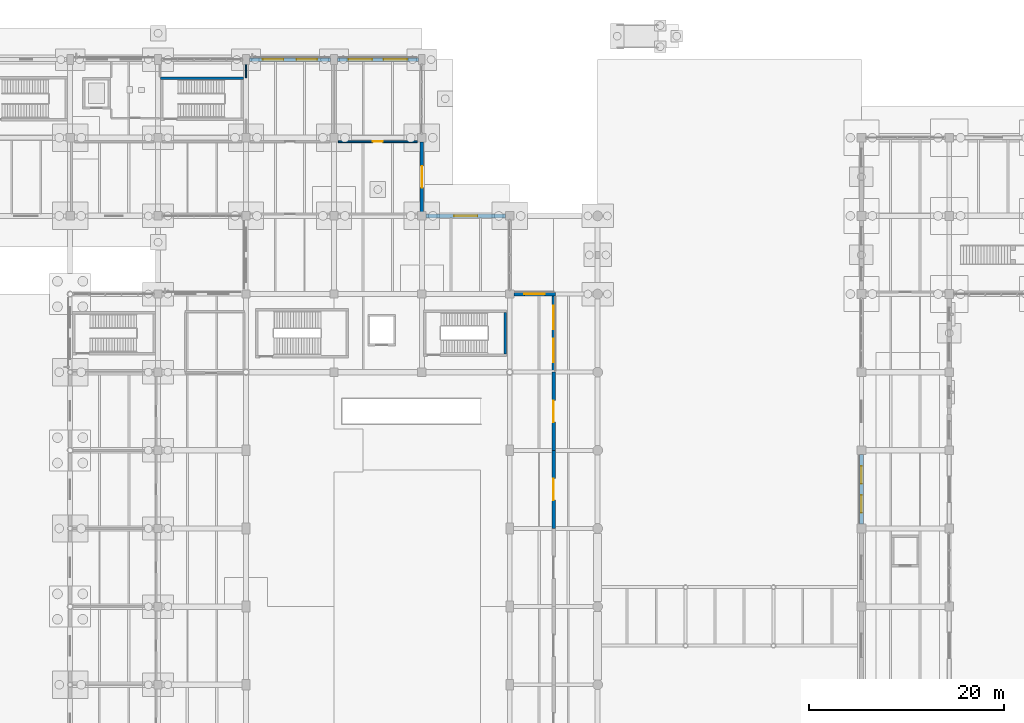
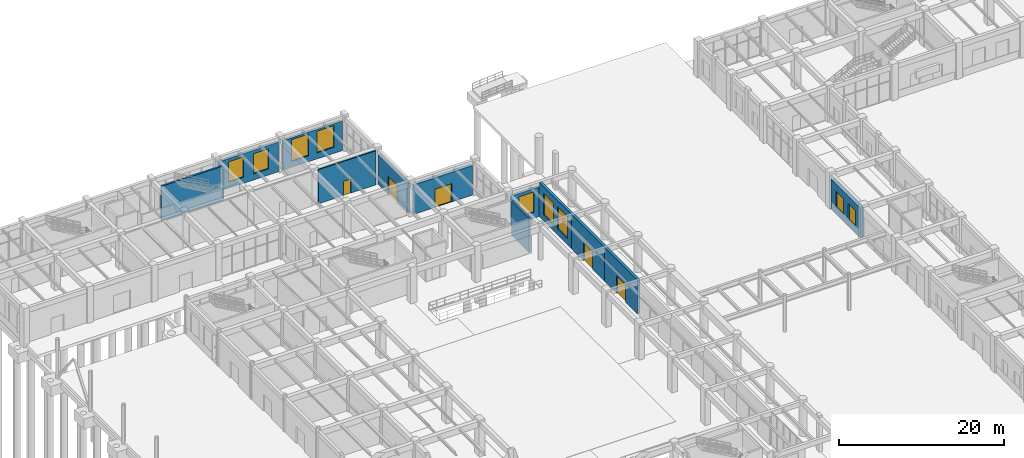
# One storey, part 95 of 121: 13 walls, 9 windows, 5 doors, 14 openings.
"""IFC4 building model written with IfcOpenShell, lengths in metres."""

from ifc_helpers import new_model, si_unit, derived_unit, direction, frame, frame_2d, origin, place, context, subcontext, project, spatial, rectangle, extrude, material, layer, layer_set, type_object, element, fill, save


model = new_model("IFC4")

# Units and contexts
model_context = context("Model", 3, precision=1e-05, world=origin(), true_north=direction((0.0, 1.0)))
body_context = subcontext(model_context, "Body", "Model", "MODEL_VIEW")
ifc_project = project(units=[si_unit("LENGTHUNIT", "METRE"), si_unit("AREAUNIT", "SQUARE_METRE"), si_unit("VOLUMEUNIT", "CUBIC_METRE"), si_unit("PLANEANGLEUNIT", "RADIAN"), si_unit("MASSUNIT", "GRAM", prefix="KILO"), derived_unit("THERMALTRANSMITTANCEUNIT", [(si_unit("MASSUNIT", "GRAM", prefix="KILO"), 1), (si_unit("TIMEUNIT", "SECOND"), -3), (si_unit("THERMODYNAMICTEMPERATUREUNIT", "KELVIN"), -1)])], contexts=[model_context])

# Site, building, storey
site_placement = place(None, origin())
site = spatial("IfcSite", under=ifc_project, at=site_placement, CompositionType="ELEMENT")
building_placement = place(site_placement, origin())
building = spatial("IfcBuilding", under=site, at=building_placement, Name="Zhenchuan Archway Interchange", CompositionType="ELEMENT")
storey_placement = place(building_placement, origin())
storey = spatial("IfcBuildingStorey", under=building, at=storey_placement, Name="L00", CompositionType="ELEMENT", Elevation=0.0)

# Wall, opening, door
ifc_material_1 = material(Name="Granite Stone Cladding", Category="masonry")
ifc_layer_1 = layer(ifc_material_1, 0.419921875)
ifc_layer_set_1 = layer_set([ifc_layer_1], Name="Granite Stone Cladding")
wall_type_1 = type_object("IfcWallType", Name="EW_GRANITE_420", PredefinedType="STANDARD", material=ifc_layer_set_1)
wall_1_placement = place(storey_placement, frame((54.423095703125, 96.0, 0.0), z_axis=(0.0, 0.0, 1.0), x_axis=(1.0, 0.0, 0.0)))
wall_1 = element("IfcWall", 1, at=wall_1_placement, inside=storey, type_object=wall_type_1, Name="Exterior wall L00-029", PredefinedType="STANDARD", context=body_context, shape_type="SweptSolid", body=[
    extrude(rectangle(XDim=8.15380859375, YDim=0.419921875, at=frame_2d((4.076904296875, 0.0))), origin(), (0.0, 0.0, 1.0), 4.3798828125),
])
opening_1_placement = place(wall_1_placement, frame((2.876953125, 0.0, 0.0)))
opening_1 = element("IfcOpeningElement", 2, at=opening_1_placement, cuts=wall_1, Name="Opening ED-01", PredefinedType="OPENING", context=body_context, shape_type="SweptSolid", body=[
    extrude(rectangle(XDim=2.39990234375, YDim=2.699951171875, at=frame_2d((1.199951171875, 1.35009765625))), frame((0.0, 0.221923828125, 0.0), z_axis=(0.0, -1.0, 0.0), x_axis=(1.0, 0.0, 0.0)), (0.0, 0.0, 1.0), 0.44384765625),
])
ifc_material_2 = material(Name="Anodised Aluminium", Category="aluminium")
door_type_1 = type_object("IfcDoorType", Name="ED_MAIN_2400x2700", OperationType="DOUBLE_DOOR_SINGLE_SWING", PredefinedType="DOOR", material=ifc_material_2)
door_1_placement = place(opening_1_placement, origin())
door_1 = element("IfcDoor", 3, at=door_1_placement, inside=storey, type_object=door_type_1, Name="Exterior entrance door L00-012", OperationType="SINGLE_SWING_LEFT", OverallHeight=2.699951171875, OverallWidth=2.39990234375, PredefinedType="DOOR", context=body_context, shape_type="SweptSolid", body=[
    extrude(rectangle(XDim=2.39990234375, YDim=2.699951171875, at=frame_2d((1.199951171875, 1.35009765625))), frame((0.0, 0.02490234375, 0.0), z_axis=(0.0, -1.0, 0.0), x_axis=(1.0, 0.0, 0.0)), (0.0, 0.0, 1.0), 0.050048828125),
])
fill(opening_1, door_1)

# Wall, openings, windows
wall_2_placement = place(storey_placement, frame((99.0, 64.447998046875, 0.0), z_axis=(0.0, 0.0, 1.0), x_axis=(0.0, 1.0, 0.0)))
wall_2 = element("IfcWall", 4, at=wall_2_placement, inside=storey, type_object=wall_type_1, Name="Exterior wall L00-094", PredefinedType="STANDARD", context=body_context, shape_type="SweptSolid", body=[
    extrude(rectangle(XDim=7.10400390625, YDim=0.419921875, at=frame_2d((3.552001953125, 0.0))), origin(), (0.0, 0.0, 1.0), 4.3798828125),
])
opening_2_placement = place(wall_2_placement, frame((1.16796875, 0.0, 0.89990234375)))
opening_2 = element("IfcOpeningElement", 5, at=opening_2_placement, cuts=wall_2, Name="Opening W-03", PredefinedType="OPENING", context=body_context, shape_type="SweptSolid", body=[
    extrude(rectangle(XDim=1.800048828125, YDim=2.39990234375, at=frame_2d((0.89990234375, 1.199951171875))), frame((0.0, 0.221923828125, 0.0), z_axis=(0.0, -1.0, 0.0), x_axis=(1.0, 0.0, 0.0)), (0.0, 0.0, 1.0), 0.44384765625),
])
opening_3_placement = place(wall_2_placement, frame((4.135986328125, 0.0, 0.89990234375)))
opening_3 = element("IfcOpeningElement", 6, at=opening_3_placement, cuts=wall_2, Name="Opening W-03", PredefinedType="OPENING", context=body_context, shape_type="SweptSolid", body=[
    extrude(rectangle(XDim=1.800048828125, YDim=2.39990234375, at=frame_2d((0.89990234375, 1.199951171875))), frame((0.0, 0.221923828125, 0.0), z_axis=(0.0, -1.0, 0.0), x_axis=(1.0, 0.0, 0.0)), (0.0, 0.0, 1.0), 0.44384765625),
])
ifc_material_3 = material(Name="Double Low-E Insulated Glazing", Category="glass")
window_type_1 = type_object("IfcWindowType", Name="WN_PUNCH_1800x2400", PartitioningType="SINGLE_PANEL", PredefinedType="WINDOW", material=ifc_material_3)
window_1_placement = place(opening_2_placement, origin())
window_1 = element("IfcWindow", 7, at=window_1_placement, inside=storey, type_object=window_type_1, Name="Window L00-0073", OverallHeight=2.39990234375, OverallWidth=1.800048828125, PartitioningType="SINGLE_PANEL", PredefinedType="WINDOW", context=body_context, shape_type="SweptSolid", body=[
    extrude(rectangle(XDim=1.800048828125, YDim=2.39990234375, at=frame_2d((0.89990234375, 1.199951171875))), frame((0.0, 0.030029296875, 0.0), z_axis=(0.0, -1.0, 0.0), x_axis=(1.0, 0.0, 0.0)), (0.0, 0.0, 1.0), 0.06005859375),
])
fill(opening_2, window_1)
window_2_placement = place(opening_3_placement, origin())
window_2 = element("IfcWindow", 8, at=window_2_placement, inside=storey, type_object=window_type_1, Name="Window L00-0074", OverallHeight=2.39990234375, OverallWidth=1.800048828125, PartitioningType="SINGLE_PANEL", PredefinedType="WINDOW", context=body_context, shape_type="SweptSolid", body=[
    extrude(rectangle(XDim=1.800048828125, YDim=2.39990234375, at=frame_2d((0.89990234375, 1.199951171875))), frame((0.0, 0.030029296875, 0.0), z_axis=(0.0, -1.0, 0.0), x_axis=(1.0, 0.0, 0.0)), (0.0, 0.0, 1.0), 0.06005859375),
])
fill(opening_3, window_2)

ifc_material_4 = material(Name="Terracotta Masonry", Category="masonry")
ifc_layer_2 = layer(ifc_material_4, 0.360107421875)
ifc_layer_set_2 = layer_set([ifc_layer_2], Name="Terracotta Masonry")
wall_type_2 = type_object("IfcWallType", Name="EW_TERRA_360", PredefinedType="STANDARD", material=ifc_layer_set_2)
wall_3_placement = place(storey_placement, frame((36.347900390625, 112.0, 0.0), z_axis=(0.0, 0.0, 1.0), x_axis=(1.0, 0.0, 0.0)))
wall_3 = element("IfcWall", 9, at=wall_3_placement, inside=storey, type_object=wall_type_2, Name="Exterior wall L00-025", PredefinedType="STANDARD", context=body_context, shape_type="SweptSolid", body=[
    extrude(rectangle(XDim=8.30419921875, YDim=0.360107421875, at=frame_2d((4.152099609375, 0.0))), origin(), (0.0, 0.0, 1.0), 4.3798828125),
])
opening_4_placement = place(wall_3_placement, frame((1.367919921875, 0.0, 0.89990234375)))
opening_4 = element("IfcOpeningElement", 10, at=opening_4_placement, cuts=wall_3, Name="Opening W-02", PredefinedType="OPENING", context=body_context, shape_type="SweptSolid", body=[
    extrude(rectangle(XDim=2.10009765625, YDim=3.0, at=frame_2d((1.050048828125, 1.5))), frame((0.0, 0.19189453125, 0.0), z_axis=(0.0, -1.0, 0.0), x_axis=(1.0, 0.0, 0.0)), (0.0, 0.0, 1.0), 0.384033203125),
])
opening_5_placement = place(wall_3_placement, frame((4.8359375, 0.0, 0.89990234375)))
opening_5 = element("IfcOpeningElement", 11, at=opening_5_placement, cuts=wall_3, Name="Opening W-02", PredefinedType="OPENING", context=body_context, shape_type="SweptSolid", body=[
    extrude(rectangle(XDim=2.10009765625, YDim=3.0, at=frame_2d((1.050048828125, 1.5))), frame((0.0, 0.19189453125, 0.0), z_axis=(0.0, -1.0, 0.0), x_axis=(1.0, 0.0, 0.0)), (0.0, 0.0, 1.0), 0.384033203125),
])
window_type_2 = type_object("IfcWindowType", Name="WN_ARCH_2100x3000", PartitioningType="SINGLE_PANEL", PredefinedType="WINDOW", material=ifc_material_3)
window_3_placement = place(opening_4_placement, origin())
window_3 = element("IfcWindow", 12, at=window_3_placement, inside=storey, type_object=window_type_2, Name="Window L00-0017", OverallHeight=3.0, OverallWidth=2.10009765625, PartitioningType="SINGLE_PANEL", PredefinedType="WINDOW", context=body_context, shape_type="SweptSolid", body=[
    extrude(rectangle(XDim=2.10009765625, YDim=3.0, at=frame_2d((1.050048828125, 1.5))), frame((0.0, 0.030029296875, 0.0), z_axis=(0.0, -1.0, 0.0), x_axis=(1.0, 0.0, 0.0)), (0.0, 0.0, 1.0), 0.06005859375),
])
fill(opening_4, window_3)
window_4_placement = place(opening_5_placement, origin())
window_4 = element("IfcWindow", 13, at=window_4_placement, inside=storey, type_object=window_type_2, Name="Window L00-0018", OverallHeight=3.0, OverallWidth=2.10009765625, PartitioningType="SINGLE_PANEL", PredefinedType="WINDOW", context=body_context, shape_type="SweptSolid", body=[
    extrude(rectangle(XDim=2.10009765625, YDim=3.0, at=frame_2d((1.050048828125, 1.5))), frame((0.0, 0.030029296875, 0.0), z_axis=(0.0, -1.0, 0.0), x_axis=(1.0, 0.0, 0.0)), (0.0, 0.0, 1.0), 0.06005859375),
])
fill(opening_5, window_4)

wall_4_placement = place(storey_placement, frame((45.347900390625, 112.0, 0.0), z_axis=(0.0, 0.0, 1.0), x_axis=(1.0, 0.0, 0.0)))
wall_4 = element("IfcWall", 14, at=wall_4_placement, inside=storey, type_object=wall_type_2, Name="Exterior wall L00-026", PredefinedType="STANDARD", context=body_context, shape_type="SweptSolid", body=[
    extrude(rectangle(XDim=8.30419921875, YDim=0.360107421875, at=frame_2d((4.152099609375, 0.0))), origin(), (0.0, 0.0, 1.0), 4.3798828125),
])
opening_6_placement = place(wall_4_placement, frame((1.16796875, 0.0, 0.89990234375)))
opening_6 = element("IfcOpeningElement", 15, at=opening_6_placement, cuts=wall_4, Name="Opening W-01", PredefinedType="OPENING", context=body_context, shape_type="SweptSolid", body=[
    extrude(rectangle(XDim=2.39990234375, YDim=3.199951171875, at=frame_2d((1.199951171875, 1.60009765625))), frame((0.0, 0.19189453125, 0.0), z_axis=(0.0, -1.0, 0.0), x_axis=(1.0, 0.0, 0.0)), (0.0, 0.0, 1.0), 0.384033203125),
])
opening_7_placement = place(wall_4_placement, frame((4.736083984375, 0.0, 0.89990234375)))
opening_7 = element("IfcOpeningElement", 16, at=opening_7_placement, cuts=wall_4, Name="Opening W-01", PredefinedType="OPENING", context=body_context, shape_type="SweptSolid", body=[
    extrude(rectangle(XDim=2.39990234375, YDim=3.199951171875, at=frame_2d((1.199951171875, 1.60009765625))), frame((0.0, 0.19189453125, 0.0), z_axis=(0.0, -1.0, 0.0), x_axis=(1.0, 0.0, 0.0)), (0.0, 0.0, 1.0), 0.384033203125),
])
window_type_3 = type_object("IfcWindowType", Name="WN_ARCH_2400x3200", PartitioningType="SINGLE_PANEL", PredefinedType="WINDOW", material=ifc_material_3)
window_5_placement = place(opening_6_placement, origin())
window_5 = element("IfcWindow", 17, at=window_5_placement, inside=storey, type_object=window_type_3, Name="Window L00-0019", OverallHeight=3.199951171875, OverallWidth=2.39990234375, PartitioningType="SINGLE_PANEL", PredefinedType="WINDOW", context=body_context, shape_type="SweptSolid", body=[
    extrude(rectangle(XDim=2.39990234375, YDim=3.199951171875, at=frame_2d((1.199951171875, 1.60009765625))), frame((0.0, 0.030029296875, 0.0), z_axis=(0.0, -1.0, 0.0), x_axis=(1.0, 0.0, 0.0)), (0.0, 0.0, 1.0), 0.06005859375),
])
fill(opening_6, window_5)
window_6_placement = place(opening_7_placement, origin())
window_6 = element("IfcWindow", 18, at=window_6_placement, inside=storey, type_object=window_type_3, Name="Window L00-0020", OverallHeight=3.199951171875, OverallWidth=2.39990234375, PartitioningType="SINGLE_PANEL", PredefinedType="WINDOW", context=body_context, shape_type="SweptSolid", body=[
    extrude(rectangle(XDim=2.39990234375, YDim=3.199951171875, at=frame_2d((1.199951171875, 1.60009765625))), frame((0.0, 0.030029296875, 0.0), z_axis=(0.0, -1.0, 0.0), x_axis=(1.0, 0.0, 0.0)), (0.0, 0.0, 1.0), 0.06005859375),
])
fill(opening_7, window_6)

# Wall, opening, door
wall_5_placement = place(storey_placement, frame((54.0, 103.576904296875, 0.0), z_axis=(0.0, 0.0, 1.0), x_axis=(0.0, -1.0, 0.0)))
wall_5 = element("IfcWall", 19, at=wall_5_placement, inside=storey, type_object=wall_type_2, Name="Exterior wall L00-028", PredefinedType="STANDARD", context=body_context, shape_type="SweptSolid", body=[
    extrude(rectangle(XDim=7.15380859375, YDim=0.360107421875, at=frame_2d((3.576904296875, 0.0))), origin(), (0.0, 0.0, 1.0), 4.3798828125),
])
opening_8_placement = place(wall_5_placement, frame((2.47705078125, 0.0, 0.0)))
opening_8 = element("IfcOpeningElement", 20, at=opening_8_placement, cuts=wall_5, Name="Opening ED-02", PredefinedType="OPENING", context=body_context, shape_type="SweptSolid", body=[
    extrude(rectangle(XDim=2.199951171875, YDim=2.60009765625, at=frame_2d((1.10009765625, 1.300048828125))), frame((0.0, 0.19189453125, 0.0), z_axis=(0.0, -1.0, 0.0), x_axis=(1.0, 0.0, 0.0)), (0.0, 0.0, 1.0), 0.384033203125),
])
door_type_2 = type_object("IfcDoorType", Name="ED_CONC_2200x2600", OperationType="DOUBLE_DOOR_SINGLE_SWING", PredefinedType="DOOR", material=ifc_material_2)
door_2_placement = place(opening_8_placement, origin())
door_2 = element("IfcDoor", 21, at=door_2_placement, inside=storey, type_object=door_type_2, Name="Exterior entrance door L00-011", OperationType="SINGLE_SWING_LEFT", OverallHeight=2.60009765625, OverallWidth=2.199951171875, PredefinedType="DOOR", context=body_context, shape_type="SweptSolid", body=[
    extrude(rectangle(XDim=2.199951171875, YDim=2.60009765625, at=frame_2d((1.10009765625, 1.300048828125))), frame((0.0, 0.02490234375, 0.0), z_axis=(0.0, -1.0, 0.0), x_axis=(1.0, 0.0, 0.0)), (0.0, 0.0, 1.0), 0.050048828125),
])
fill(opening_8, door_2)

# Wall, opening, window
wall_6_placement = place(storey_placement, frame((63.423095703125, 88.0, 0.0), z_axis=(0.0, 0.0, 1.0), x_axis=(1.0, 0.0, 0.0)))
wall_6 = element("IfcWall", 22, at=wall_6_placement, inside=storey, type_object=wall_type_2, Name="Exterior wall L00-031", PredefinedType="STANDARD", context=body_context, shape_type="SweptSolid", body=[
    extrude(rectangle(XDim=4.2568359375, YDim=0.360107421875, at=frame_2d((2.12841796875, 0.0))), origin(), (0.0, 0.0, 1.0), 4.3798828125),
])
opening_9_placement = place(wall_6_placement, frame((1.07861328125, 0.0, 0.89990234375)))
opening_9 = element("IfcOpeningElement", 23, at=opening_9_placement, cuts=wall_6, Name="Opening W-02", PredefinedType="OPENING", context=body_context, shape_type="SweptSolid", body=[
    extrude(rectangle(XDim=2.10009765625, YDim=3.0, at=frame_2d((1.050048828125, 1.5))), frame((0.0, 0.19189453125, 0.0), z_axis=(0.0, -1.0, 0.0), x_axis=(1.0, 0.0, 0.0)), (0.0, 0.0, 1.0), 0.384033203125),
])
window_7_placement = place(opening_9_placement, origin())
window_7 = element("IfcWindow", 24, at=window_7_placement, inside=storey, type_object=window_type_2, Name="Window L00-0021", OverallHeight=3.0, OverallWidth=2.10009765625, PartitioningType="SINGLE_PANEL", PredefinedType="WINDOW", context=body_context, shape_type="SweptSolid", body=[
    extrude(rectangle(XDim=2.10009765625, YDim=3.0, at=frame_2d((1.050048828125, 1.5))), frame((0.0, 0.030029296875, 0.0), z_axis=(0.0, -1.0, 0.0), x_axis=(1.0, 0.0, 0.0)), (0.0, 0.0, 1.0), 0.06005859375),
])
fill(opening_9, window_7)

# Wall, openings, windows
wall_7_placement = place(storey_placement, frame((67.5, 87.822021484375, 0.0), z_axis=(0.0, 0.0, 1.0), x_axis=(0.0, -1.0, 0.0)))
wall_7 = element("IfcWall", 25, at=wall_7_placement, inside=storey, type_object=wall_type_2, Name="Exterior wall L00-032", PredefinedType="STANDARD", context=body_context, shape_type="SweptSolid", body=[
    extrude(rectangle(XDim=7.823974609375, YDim=0.360107421875, at=frame_2d((3.912109375, 0.0))), origin(), (0.0, 0.0, 1.0), 5.06005859375),
])
opening_10_placement = place(wall_7_placement, frame((1.008056640625, 0.0, 0.89990234375)))
opening_10 = element("IfcOpeningElement", 26, at=opening_10_placement, cuts=wall_7, Name="Opening W-01", PredefinedType="OPENING", context=body_context, shape_type="SweptSolid", body=[
    extrude(rectangle(XDim=2.39990234375, YDim=3.199951171875, at=frame_2d((1.199951171875, 1.60009765625))), frame((0.0, 0.19189453125, 0.0), z_axis=(0.0, -1.0, 0.0), x_axis=(1.0, 0.0, 0.0)), (0.0, 0.0, 1.0), 0.384033203125),
])
opening_11_placement = place(wall_7_placement, frame((4.416015625, 0.0, 0.89990234375)))
opening_11 = element("IfcOpeningElement", 27, at=opening_11_placement, cuts=wall_7, Name="Opening W-01", PredefinedType="OPENING", context=body_context, shape_type="SweptSolid", body=[
    extrude(rectangle(XDim=2.39990234375, YDim=3.199951171875, at=frame_2d((1.199951171875, 1.60009765625))), frame((0.0, 0.19189453125, 0.0), z_axis=(0.0, -1.0, 0.0), x_axis=(1.0, 0.0, 0.0)), (0.0, 0.0, 1.0), 0.384033203125),
])
window_8_placement = place(opening_10_placement, origin())
window_8 = element("IfcWindow", 28, at=window_8_placement, inside=storey, type_object=window_type_3, Name="Window L00-0022", OverallHeight=3.199951171875, OverallWidth=2.39990234375, PartitioningType="SINGLE_PANEL", PredefinedType="WINDOW", context=body_context, shape_type="SweptSolid", body=[
    extrude(rectangle(XDim=2.39990234375, YDim=3.199951171875, at=frame_2d((1.199951171875, 1.60009765625))), frame((0.0, 0.030029296875, 0.0), z_axis=(0.0, -1.0, 0.0), x_axis=(1.0, 0.0, 0.0)), (0.0, 0.0, 1.0), 0.06005859375),
])
fill(opening_10, window_8)
window_9_placement = place(opening_11_placement, origin())
window_9 = element("IfcWindow", 29, at=window_9_placement, inside=storey, type_object=window_type_3, Name="Window L00-0023", OverallHeight=3.199951171875, OverallWidth=2.39990234375, PartitioningType="SINGLE_PANEL", PredefinedType="WINDOW", context=body_context, shape_type="SweptSolid", body=[
    extrude(rectangle(XDim=2.39990234375, YDim=3.199951171875, at=frame_2d((1.199951171875, 1.60009765625))), frame((0.0, 0.030029296875, 0.0), z_axis=(0.0, -1.0, 0.0), x_axis=(1.0, 0.0, 0.0)), (0.0, 0.0, 1.0), 0.06005859375),
])
fill(opening_11, window_9)

# Wall, opening, door
wall_8_placement = place(storey_placement, frame((67.5, 80.0, 0.0), z_axis=(0.0, 0.0, 1.0), x_axis=(0.0, -1.0, 0.0)))
wall_8 = element("IfcWall", 30, at=wall_8_placement, inside=storey, type_object=wall_type_2, Name="Exterior wall L00-033", PredefinedType="STANDARD", context=body_context, shape_type="SweptSolid", body=[
    extrude(rectangle(XDim=8.001953125, YDim=0.360107421875, at=frame_2d((4.0009765625, 0.0))), origin(), (0.0, 0.0, 1.0), 5.06005859375),
])
opening_12_placement = place(wall_8_placement, frame((2.90087890625, 0.0, 0.0)))
opening_12 = element("IfcOpeningElement", 31, at=opening_12_placement, cuts=wall_8, Name="Opening ED-02", PredefinedType="OPENING", context=body_context, shape_type="SweptSolid", body=[
    extrude(rectangle(XDim=2.199951171875, YDim=2.60009765625, at=frame_2d((1.10009765625, 1.300048828125))), frame((0.0, 0.19189453125, 0.0), z_axis=(0.0, -1.0, 0.0), x_axis=(1.0, 0.0, 0.0)), (0.0, 0.0, 1.0), 0.384033203125),
])
door_3_placement = place(opening_12_placement, origin())
door_3 = element("IfcDoor", 32, at=door_3_placement, inside=storey, type_object=door_type_2, Name="Exterior entrance door L00-013", OperationType="SINGLE_SWING_LEFT", OverallHeight=2.60009765625, OverallWidth=2.199951171875, PredefinedType="DOOR", context=body_context, shape_type="SweptSolid", body=[
    extrude(rectangle(XDim=2.199951171875, YDim=2.60009765625, at=frame_2d((1.10009765625, 1.300048828125))), frame((0.0, 0.02490234375, 0.0), z_axis=(0.0, -1.0, 0.0), x_axis=(1.0, 0.0, 0.0)), (0.0, 0.0, 1.0), 0.050048828125),
])
fill(opening_12, door_3)

wall_9_placement = place(storey_placement, frame((67.5, 72.0, 0.0), z_axis=(0.0, 0.0, 1.0), x_axis=(0.0, -1.0, 0.0)))
wall_9 = element("IfcWall", 33, at=wall_9_placement, inside=storey, type_object=wall_type_2, Name="Exterior wall L00-034", PredefinedType="STANDARD", context=body_context, shape_type="SweptSolid", body=[
    extrude(rectangle(XDim=8.001953125, YDim=0.360107421875, at=frame_2d((4.0009765625, 0.0))), origin(), (0.0, 0.0, 1.0), 5.06005859375),
])
opening_13_placement = place(wall_9_placement, frame((2.90087890625, 0.0, 0.0)))
opening_13 = element("IfcOpeningElement", 34, at=opening_13_placement, cuts=wall_9, Name="Opening ED-02", PredefinedType="OPENING", context=body_context, shape_type="SweptSolid", body=[
    extrude(rectangle(XDim=2.199951171875, YDim=2.60009765625, at=frame_2d((1.10009765625, 1.300048828125))), frame((0.0, 0.19189453125, 0.0), z_axis=(0.0, -1.0, 0.0), x_axis=(1.0, 0.0, 0.0)), (0.0, 0.0, 1.0), 0.384033203125),
])
door_4_placement = place(opening_13_placement, origin())
door_4 = element("IfcDoor", 35, at=door_4_placement, inside=storey, type_object=door_type_2, Name="Exterior entrance door L00-014", OperationType="SINGLE_SWING_LEFT", OverallHeight=2.60009765625, OverallWidth=2.199951171875, PredefinedType="DOOR", context=body_context, shape_type="SweptSolid", body=[
    extrude(rectangle(XDim=2.199951171875, YDim=2.60009765625, at=frame_2d((1.10009765625, 1.300048828125))), frame((0.0, 0.02490234375, 0.0), z_axis=(0.0, -1.0, 0.0), x_axis=(1.0, 0.0, 0.0)), (0.0, 0.0, 1.0), 0.050048828125),
])
fill(opening_13, door_4)

# Wall
ifc_material_5 = material(Name="Gypsum Plasterboard", Category="gypsum")
ifc_layer_3 = layer(ifc_material_5, 0.14990234375)
ifc_layer_set_3 = layer_set([ifc_layer_3], Name="Gypsum Plasterboard")
wall_type_3 = type_object("IfcWallType", Name="WL_PART_150", PredefinedType="STANDARD", material=ifc_layer_set_3)
wall_10_placement = place(storey_placement, frame((36.0, 110.125, 0.0), z_axis=(0.0, 0.0, 1.0), x_axis=(0.0, 1.0, 0.0)))
element("IfcWall", 36, at=wall_10_placement, inside=storey, type_object=wall_type_3, Name="Bus Bay 07 Boarding Gate W partition (L00)", PredefinedType="STANDARD", context=body_context, shape_type="SweptSolid", body=[
    extrude(rectangle(XDim=1.35009765625, YDim=0.14990234375, at=frame_2d((0.675048828125, 0.0))), origin(), (0.0, 0.0, 1.0), 4.330078125),
])

# Wall, opening, door
ifc_material_6 = material(Name="Concrete Block Masonry", Category="masonry")
ifc_layer_4 = layer(ifc_material_6, 0.179931640625)
ifc_layer_set_4 = layer_set([ifc_layer_4], Name="Concrete Block Masonry")
wall_type_4 = type_object("IfcWallType", Name="WL_PART_180", PredefinedType="STANDARD", material=ifc_layer_set_4)
wall_11_placement = place(storey_placement, frame((45.449951171875, 103.60009765625, 0.0), z_axis=(0.0, 0.0, 1.0), x_axis=(1.0, 0.0, 0.0)))
wall_11 = element("IfcWall", 37, at=wall_11_placement, inside=storey, type_object=wall_type_4, Name="Regional Coach Waiting Lounge N partition (L00)", PredefinedType="STANDARD", context=body_context, shape_type="SweptSolid", body=[
    extrude(rectangle(XDim=8.10009765625, YDim=0.179931640625, at=frame_2d((4.050048828125, 0.0))), origin(), (0.0, 0.0, 1.0), 5.050048828125),
])
opening_14_placement = place(wall_11_placement, frame((3.550048828125, 0.0, 0.0)))
opening_14 = element("IfcOpeningElement", 38, at=opening_14_placement, cuts=wall_11, Name="Opening ID-02", PredefinedType="OPENING", context=body_context, shape_type="SweptSolid", body=[
    extrude(rectangle(XDim=1.0, YDim=2.10009765625, at=frame_2d((0.5, 1.050048828125))), frame((0.0, 0.10205078125, 0.0), z_axis=(0.0, -1.0, 0.0), x_axis=(1.0, 0.0, 0.0)), (0.0, 0.0, 1.0), 0.203857421875),
])
ifc_material_7 = material(Name="Hardwood Timber", Category="wood")
door_type_3 = type_object("IfcDoorType", Name="DR_OPS_100", OperationType="NOTDEFINED", PredefinedType="DOOR", material=ifc_material_7)
door_5_placement = place(opening_14_placement, origin())
door_5 = element("IfcDoor", 39, at=door_5_placement, inside=storey, type_object=door_type_3, Name="Bus Bay 08 Boarding Gate door (L00)", OperationType="SINGLE_SWING_RIGHT", OverallHeight=2.10009765625, OverallWidth=1.0, PredefinedType="DOOR", context=body_context, shape_type="SweptSolid", body=[
    extrude(rectangle(XDim=1.0, YDim=2.10009765625, at=frame_2d((0.5, 1.050048828125))), frame((0.0, 0.02490234375, 0.0), z_axis=(0.0, -1.0, 0.0), x_axis=(1.0, 0.0, 0.0)), (0.0, 0.0, 1.0), 0.050048828125),
])
fill(opening_14, door_5)

# Walls
ifc_material_8 = material(Name="Concrete C40", Category="concrete")
ifc_layer_5 = layer(ifc_material_8, 0.25)
ifc_layer_set_5 = layer_set([ifc_layer_5], Name="Concrete C40")
wall_type_5 = type_object("IfcWallType", Name="WL_STAIR_250", PredefinedType="SHEAR", material=ifc_layer_set_5)
wall_12_placement = place(storey_placement, frame((62.56005859375, 81.875, 0.0), z_axis=(0.0, 0.0, 1.0), x_axis=(0.0, 1.0, 0.0)))
element("IfcWall", 40, at=wall_12_placement, inside=storey, type_object=wall_type_5, Name="Stair ST-M4 east wall (L00)", PredefinedType="SHEAR", context=body_context, shape_type="SweptSolid", body=[
    extrude(rectangle(XDim=4.25, YDim=0.25, at=frame_2d((2.125, 0.0))), origin(), (0.0, 0.0, 1.0), 5.050048828125),
])
wall_13_placement = place(storey_placement, frame((35.7451171875, 110.10009765625, 0.0), z_axis=(0.0, 0.0, 1.0), x_axis=(-1.0, 0.0, 0.0)))
element("IfcWall", 41, at=wall_13_placement, inside=storey, type_object=wall_type_5, Name="Stair ST-W2 north wall (L00)", PredefinedType="SHEAR", context=body_context, shape_type="SweptSolid", body=[
    extrude(rectangle(XDim=8.490234375, YDim=0.25, at=frame_2d((4.2451171875, 0.0))), origin(), (0.0, 0.0, 1.0), 5.050048828125),
])

save(model, "model.ifc")
